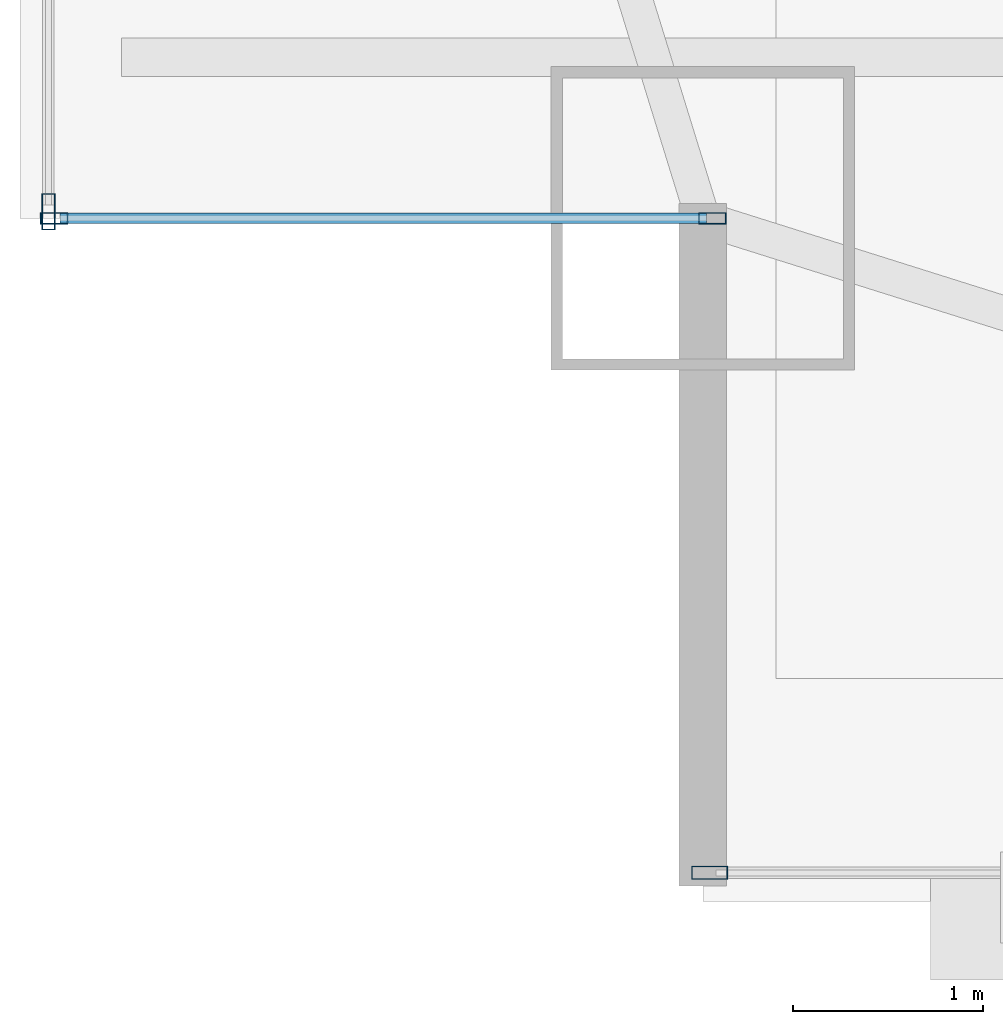
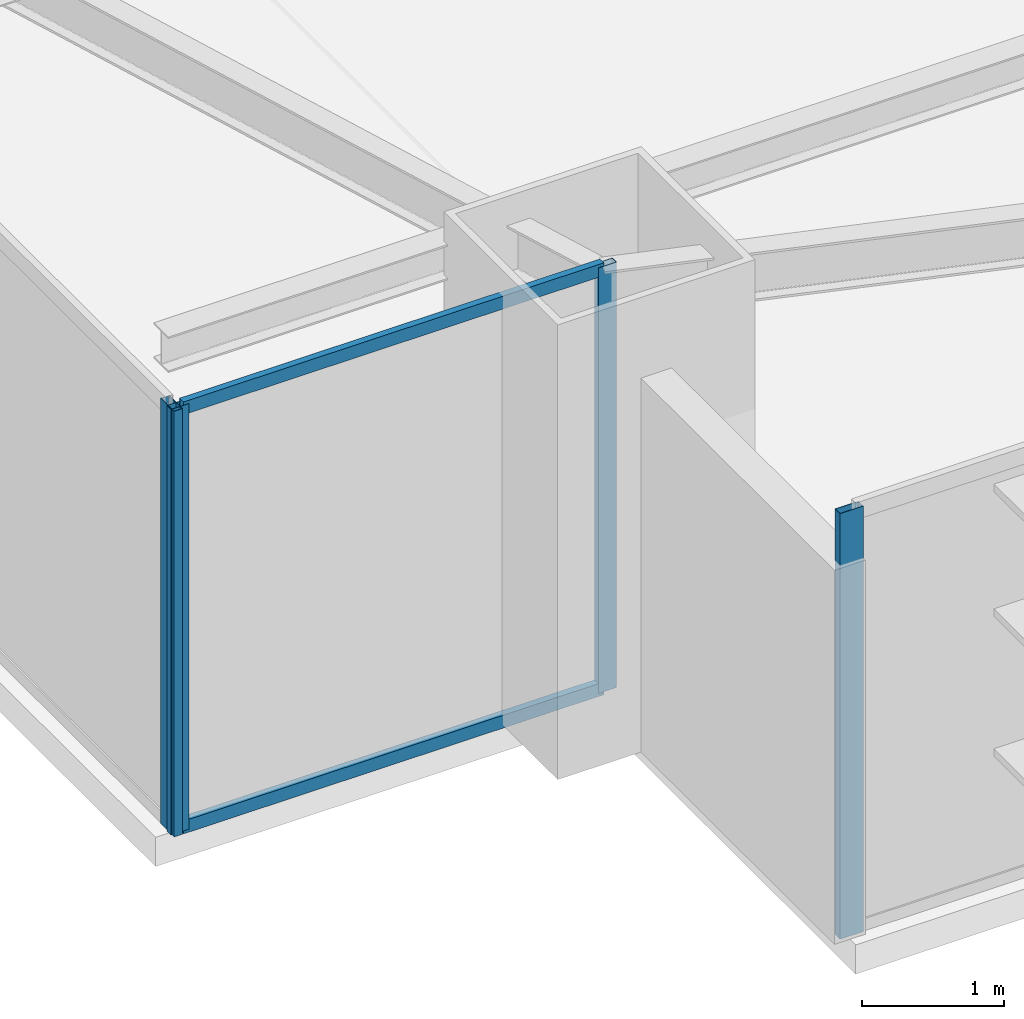
# One storey, part 3 of 32: 6 members, 3 elements without a shape of their own.
"""IFC4 building model written with IfcOpenShell, lengths in metres."""

from ifc_helpers import new_model, si_unit, direction, frame, origin, origin_2d, place, context, subcontext, project, spatial, hollow_rectangle, extrude, source, transform, mapped, material, layer, layer_set, material_profile, profile_set, type_object, type_shapes, element, aggregate, save


model = new_model("IFC4")

# Units and contexts
model_context = context("Model", 3, precision=1e-05, world=origin(), true_north=direction((0.0, 1.0)))
body_context = subcontext(model_context, "Body", "Model", "MODEL_VIEW")
ifc_project = project(units=[si_unit("LENGTHUNIT", "METRE"), si_unit("AREAUNIT", "SQUARE_METRE"), si_unit("VOLUMEUNIT", "CUBIC_METRE"), si_unit("PLANEANGLEUNIT", "RADIAN"), si_unit("MASSUNIT", "GRAM", prefix="KILO")], contexts=[model_context])

# Site, building, storey
site_placement = place(None, origin())
site = spatial("IfcSite", under=ifc_project, at=site_placement, CompositionType="ELEMENT")
building_placement = place(site_placement, origin())
building = spatial("IfcBuilding", under=site, at=building_placement, Name="Varnel Quay Broadcast Tower", CompositionType="ELEMENT")
storey_placement = place(building_placement, frame((0.0, 0.0, 54.89990234375)))
storey = spatial("IfcBuildingStorey", under=building, at=storey_placement, Name="L12", CompositionType="ELEMENT", Elevation=54.89990234375)

# Curtain wall, members
ifc_material = material(Name="Anodised Bronze Aluminium 6063-T6", Category="aluminium")
ifc_layer_1 = layer(ifc_material, 0.18994140625, Name="Anodised Bronze Aluminium 6063-T6")
ifc_layer_set_1 = layer_set([ifc_layer_1], Name="Anodised Bronze Aluminium 6063-T6")
curtain_wall_type_1 = type_object("IfcCurtainWallType", Name="CW_NotchCorner", PredefinedType="NOTDEFINED", material=ifc_layer_set_1)
curtain_wall_1_placement = place(storey_placement, origin())
curtain_wall_1 = element("IfcCurtainWall", 1, at=curtain_wall_1_placement, inside=storey, type_object=curtain_wall_type_1, Name="L12 SW Notch Curtain Wall", PredefinedType="NOTDEFINED")
ifc_material_profile_1 = material_profile(ifc_material, hollow_rectangle(XDim=0.054931640625, YDim=0.110107421875, WallThickness=0.0029296875, at=origin_2d()), Name="ALU55X110X3")
ifc_profile_set_1 = profile_set([ifc_material_profile_1], Name="Anodised Bronze Aluminium 6063-T6")
member_type_1 = type_object("IfcMemberType", Name="Tran_CWS-04", PredefinedType="USERDEFINED", material=ifc_profile_set_1)
shared_shape_1 = source(origin(), body_context, "Body", "SweptSolid", [
    extrude(hollow_rectangle(XDim=0.054931640625, YDim=0.110107421875, WallThickness=0.0029296875, at=origin_2d()), origin(), (0.0, 0.0, 1.0), 3.41015625),
])
type_shapes(member_type_1, [shared_shape_1])
member_1_placement = place(storey_placement, frame((2.2099609375, 4.800048828125, 0.027587890625), z_axis=(1.0, 0.0, 0.0), x_axis=(0.0, 1.0, 0.0)))
member_1 = element("IfcMember", 2, at=member_1_placement, type_object=member_type_1, Name="CWS-04 transom 1.1", ObjectType="TRANSOM", PredefinedType="USERDEFINED", context=body_context, shape_type="MappedRepresentation", body=[
    mapped(shared_shape_1, transform((0.0, 0.0, 0.0), x_axis=(1.0, 0.0, 0.0), y_axis=(0.0, 1.0, 0.0), z_axis=(0.0, 0.0, 1.0), scale=1.0)),
])
member_2_placement = place(storey_placement, frame((2.2099609375, 4.800048828125, 3.62255859375), z_axis=(1.0, 0.0, 0.0), x_axis=(0.0, 1.0, 0.0)))
member_2 = element("IfcMember", 3, at=member_2_placement, type_object=member_type_1, Name="CWS-04 transom 1.2", ObjectType="TRANSOM", PredefinedType="USERDEFINED", context=body_context, shape_type="MappedRepresentation", body=[
    mapped(shared_shape_1, transform((0.0, 0.0, 0.0), x_axis=(1.0, 0.0, 0.0), y_axis=(0.0, 1.0, 0.0), z_axis=(0.0, 0.0, 1.0), scale=1.0)),
])

# Curtain wall, member
ifc_layer_2 = layer(ifc_material, 0.18994140625, Name="Anodised Bronze Aluminium 6063-T6")
ifc_layer_set_2 = layer_set([ifc_layer_2], Name="Anodised Bronze Aluminium 6063-T6")
curtain_wall_type_2 = type_object("IfcCurtainWallType", Name="CW_LowerTower", PredefinedType="NOTDEFINED", material=ifc_layer_set_2)
curtain_wall_2_placement = place(storey_placement, origin())
curtain_wall_2 = element("IfcCurtainWall", 4, at=curtain_wall_2_placement, inside=storey, type_object=curtain_wall_type_2, Name="L12 South Unitised Curtain Wall 1", PredefinedType="NOTDEFINED")
ifc_material_profile_2 = material_profile(ifc_material, hollow_rectangle(XDim=0.070068359375, YDim=0.18994140625, WallThickness=0.00390625, at=origin_2d()), Name="ALU70X190X4")
ifc_profile_set_2 = profile_set([ifc_material_profile_2], Name="Anodised Bronze Aluminium 6063-T6")
member_type_2 = type_object("IfcMemberType", Name="Mull_CWS-02", PredefinedType="MULLION", material=ifc_profile_set_2)
shared_shape_2 = source(origin(), body_context, "Body", "SweptSolid", [
    extrude(hollow_rectangle(XDim=0.070068359375, YDim=0.18994140625, WallThickness=0.00390625, at=origin_2d()), origin(), (0.0, 0.0, 1.0), 3.650146484375),
])
type_shapes(member_type_2, [shared_shape_2])
member_3_placement = place(storey_placement, frame((5.635009765625, 1.35009765625, 0.0), z_axis=(0.0, 0.0, 1.0), x_axis=(0.0, 1.0, 0.0)))
member_3 = element("IfcMember", 5, at=member_3_placement, type_object=member_type_2, Name="CWS-02 mullion 1", PredefinedType="MULLION", context=body_context, shape_type="MappedRepresentation", body=[
    mapped(shared_shape_2, transform((0.0, 0.0, 0.0), x_axis=(1.0, 0.0, 0.0), y_axis=(0.0, 1.0, 0.0), z_axis=(0.0, 0.0, 1.0), scale=1.0)),
])
aggregate(curtain_wall_2, [member_3])

curtain_wall_3_placement = place(storey_placement, origin())
curtain_wall_3 = element("IfcCurtainWall", 6, at=curtain_wall_3_placement, inside=storey, type_object=curtain_wall_type_2, Name="L12 West Unitised Curtain Wall", PredefinedType="NOTDEFINED")
member_4_placement = place(storey_placement, frame((2.14990234375, 4.8349609375, 0.0), z_axis=(0.0, 0.0, 1.0), x_axis=(-1.0, 0.0, 0.0)))
member_4 = element("IfcMember", 7, at=member_4_placement, type_object=member_type_2, Name="CWS-02 mullion 1", PredefinedType="MULLION", context=body_context, shape_type="MappedRepresentation", body=[
    mapped(shared_shape_2, transform((0.0, 0.0, 0.0), x_axis=(1.0, 0.0, 0.0), y_axis=(0.0, 1.0, 0.0), z_axis=(0.0, 0.0, 1.0), scale=1.0)),
])
aggregate(curtain_wall_3, [member_4])

# Member
ifc_material_profile_3 = material_profile(ifc_material, hollow_rectangle(XDim=0.06005859375, YDim=0.14501953125, WallThickness=0.00341796875, at=origin_2d()), Name="ALU60X145X3.5")
ifc_profile_set_3 = profile_set([ifc_material_profile_3], Name="Anodised Bronze Aluminium 6063-T6")
member_type_3 = type_object("IfcMemberType", Name="Mull_CWS-04", PredefinedType="MULLION", material=ifc_profile_set_3)
shared_shape_3 = source(origin(), body_context, "Body", "SweptSolid", [
    extrude(hollow_rectangle(XDim=0.06005859375, YDim=0.14501953125, WallThickness=0.00341796875, at=origin_2d()), origin(), (0.0, 0.0, 1.0), 3.650146484375),
])
type_shapes(member_type_3, [shared_shape_3])
member_5_placement = place(storey_placement, frame((2.179931640625, 4.800048828125, 0.0), z_axis=(0.0, 0.0, 1.0), x_axis=(0.0, 1.0, 0.0)))
member_5 = element("IfcMember", 8, at=member_5_placement, type_object=member_type_3, Name="CWS-04 mullion 1", PredefinedType="MULLION", context=body_context, shape_type="MappedRepresentation", body=[
    mapped(shared_shape_3, transform((0.0, 0.0, 0.0), x_axis=(1.0, 0.0, 0.0), y_axis=(0.0, 1.0, 0.0), z_axis=(0.0, 0.0, 1.0), scale=1.0)),
])

member_6_placement = place(storey_placement, frame((5.64990234375, 4.800048828125, 0.0), z_axis=(0.0, 0.0, 1.0), x_axis=(0.0, 1.0, 0.0)))
member_6 = element("IfcMember", 9, at=member_6_placement, type_object=member_type_3, Name="CWS-04 mullion 2", PredefinedType="MULLION", context=body_context, shape_type="MappedRepresentation", body=[
    mapped(shared_shape_3, transform((0.0, 0.0, 0.0), x_axis=(1.0, 0.0, 0.0), y_axis=(0.0, 1.0, 0.0), z_axis=(0.0, 0.0, 1.0), scale=1.0)),
])

aggregate(curtain_wall_1, [member_5, member_6, member_1, member_2])

save(model, "model.ifc")
